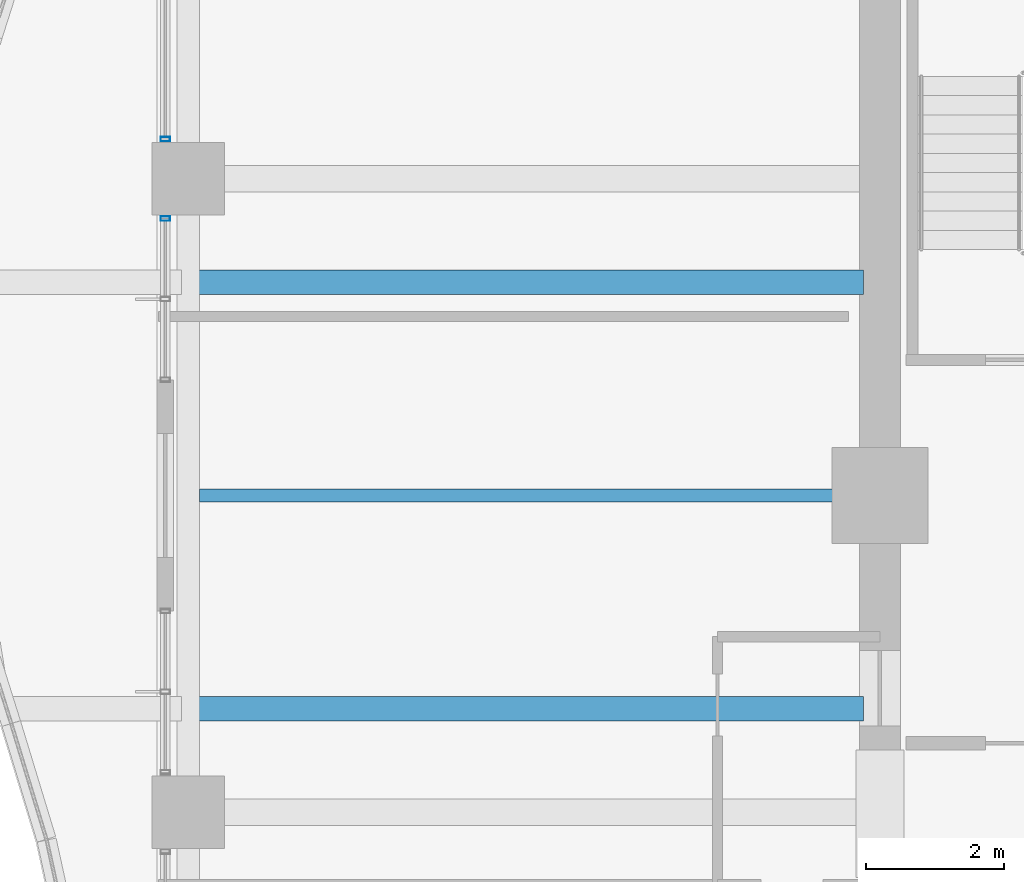
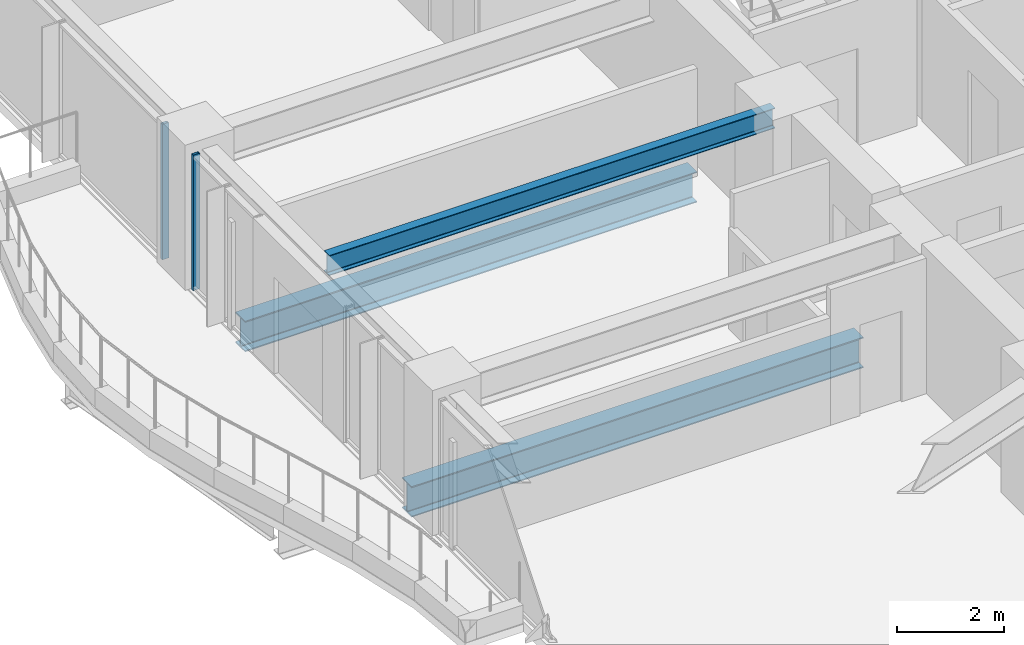
# One storey, part 9 of 36: 3 beams, 2 members, 2 elements without a shape of their own.
"""IFC4 building model written with IfcOpenShell, lengths in metres."""

from ifc_helpers import new_model, si_unit, direction, frame, origin, origin_2d, place, context, subcontext, project, spatial, hollow_rectangle, i_section, extrude, material, material_profile, profile_set, type_object, element, aggregate, save


model = new_model("IFC4")

# Units and contexts
model_context = context("Model", 3, precision=1e-05, world=origin(), true_north=direction((0.0, 1.0)))
body_context = subcontext(model_context, "Body", "Model", "MODEL_VIEW")
ifc_project = project(units=[si_unit("LENGTHUNIT", "METRE"), si_unit("AREAUNIT", "SQUARE_METRE"), si_unit("VOLUMEUNIT", "CUBIC_METRE"), si_unit("PLANEANGLEUNIT", "RADIAN"), si_unit("MASSUNIT", "GRAM", prefix="KILO")], contexts=[model_context])

# Site, building, storey
site_placement = place(None, origin())
site = spatial("IfcSite", under=ifc_project, at=site_placement, CompositionType="ELEMENT")
building_placement = place(site_placement, origin())
building = spatial("IfcBuilding", under=site, at=building_placement, Name="Kolvaren Belvedere", CompositionType="ELEMENT")
storey_placement = place(building_placement, frame((0.0, 0.0, 88.699951171875)))
storey = spatial("IfcBuildingStorey", under=building, at=storey_placement, Name="L25", CompositionType="ELEMENT", Elevation=88.699951171875)

# Beams
ifc_material_1 = material(Name="Structural steel ASTM A992 Grade 50", Category="steel")
ifc_material_profile_1 = material_profile(ifc_material_1, i_section(OverallWidth=0.35498046875, OverallDepth=0.696044921875, WebThickness=0.015380859375, FlangeThickness=0.02490234375, FilletRadius=0.02197265625, at=origin_2d()), Name="W27X146")
ifc_profile_set_1 = profile_set([ifc_material_profile_1], Name="Structural steel ASTM A992 Grade 50")
beam_type_1 = type_object("IfcBeamType", Name="BM-GIRD-W27X146", PredefinedType="BEAM", material=ifc_profile_set_1)
for number, where, z_axis, x_axis, name in (
    (1, (-10.139892578125, -3.10009765625, -0.56787109375), (-1.0, 0.0, 0.0), (0.0, -1.0, 0.0), "L25 Balcony Interior Back-Span Girder BAL-W-1"),
    (2, (-10.139892578125, 3.10009765625, -0.56787109375), (-1.0, 0.0, 0.0), (0.0, -1.0, 0.0), "L25 Balcony Interior Back-Span Girder BAL-W-2"),
):
    element("IfcBeam", number, at=place(storey_placement, frame(where, z_axis=z_axis, x_axis=x_axis)), inside=storey, type_object=beam_type_1, Name=name, PredefinedType="BEAM", context=body_context, shape_type="SweptSolid", body=[
        extrude(i_section(OverallWidth=0.35498046875, OverallDepth=0.696044921875, WebThickness=0.015380859375, FlangeThickness=0.02490234375, FilletRadius=0.02197265625, at=origin_2d()), origin(), (0.0, 0.0, 1.0), 9.715087890625),
    ])
ifc_material_2 = material(Name="Structural steel ASTM A992 Grade 50", Category="steel")
ifc_material_profile_2 = material_profile(ifc_material_2, i_section(OverallWidth=0.19091796875, OverallDepth=0.4599609375, WebThickness=0.010009765625, FlangeThickness=0.01611328125, FilletRadius=0.014892578125, at=origin_2d()), Name="W18X55")
ifc_profile_set_2 = profile_set([ifc_material_profile_2], Name="Structural steel ASTM A992 Grade 50")
beam_type_2 = type_object("IfcBeamType", Name="BM-JOIST-W18X55", PredefinedType="BEAM", material=ifc_profile_set_2)
beam_placement = place(storey_placement, frame((-10.199951171875, 0.0, 2.85009765625), z_axis=(-1.0, 0.0, 0.0), x_axis=(0.0, -1.0, 0.0)))
element("IfcBeam", 3, at=beam_placement, inside=storey, type_object=beam_type_2, Name="L25 West Centre Floor Beam", PredefinedType="BEAM", context=body_context, shape_type="SweptSolid", body=[
    extrude(i_section(OverallWidth=0.19091796875, OverallDepth=0.4599609375, WebThickness=0.010009765625, FlangeThickness=0.01611328125, FilletRadius=0.014892578125, at=origin_2d()), origin(), (0.0, 0.0, 1.0), 9.587646484375),
])

# Curtain wall, member
ifc_material_3 = material(Name="Anodised pale-metal aluminium AA 6063-T6", Category="aluminium")
curtain_wall_type = type_object("IfcCurtainWallType", Name="CW-Z2-MID", PredefinedType="NOTDEFINED", material=ifc_material_3)
curtain_wall_1_placement = place(storey_placement, origin())
curtain_wall_1 = element("IfcCurtainWall", 4, at=curtain_wall_1_placement, inside=storey, type_object=curtain_wall_type, Name="L25 Unitised Curtain Wall FCW-L25-W2-B1", PredefinedType="NOTDEFINED")
ifc_material_4 = material(Name="Anodised pale-metal aluminium AA 6063-T6", Category="aluminium")
ifc_material_profile_3 = material_profile(ifc_material_4, hollow_rectangle(XDim=0.06494140625, YDim=0.139892578125, WallThickness=0.00390625, at=origin_2d()), Name="ALU-MUL-140X65")
ifc_profile_set_3 = profile_set([ifc_material_profile_3], Name="Anodised pale-metal aluminium AA 6063-T6")
member_type = type_object("IfcMemberType", Name="CW-MUL-140", PredefinedType="MULLION", material=ifc_profile_set_3)
member_1_placement = place(storey_placement, frame((-20.280029296875, 4.0224609375, 0.0), z_axis=(0.0, 0.0, 1.0), x_axis=(0.0, 1.0, 0.0)))
member_1 = element("IfcMember", 5, at=member_1_placement, type_object=member_type, Name="FCW-L25-W2-B1 Unitised Mullion 3", PredefinedType="MULLION", context=body_context, shape_type="SweptSolid", body=[
    extrude(hollow_rectangle(XDim=0.06494140625, YDim=0.139892578125, WallThickness=0.00390625, at=origin_2d()), origin(), (0.0, 0.0, 1.0), 3.080078125),
])
aggregate(curtain_wall_1, [member_1])

curtain_wall_2_placement = place(storey_placement, origin())
curtain_wall_2 = element("IfcCurtainWall", 6, at=curtain_wall_2_placement, inside=storey, type_object=curtain_wall_type, Name="L25 Unitised Curtain Wall FCW-L25-W2-B2", PredefinedType="NOTDEFINED")
member_2_placement = place(storey_placement, frame((-20.280029296875, 5.177490234375, 0.0), z_axis=(0.0, 0.0, 1.0), x_axis=(0.0, 1.0, 0.0)))
member_2 = element("IfcMember", 7, at=member_2_placement, type_object=member_type, Name="FCW-L25-W2-B2 Unitised Mullion 1", PredefinedType="MULLION", context=body_context, shape_type="SweptSolid", body=[
    extrude(hollow_rectangle(XDim=0.06494140625, YDim=0.139892578125, WallThickness=0.00390625, at=origin_2d()), origin(), (0.0, 0.0, 1.0), 3.080078125),
])
aggregate(curtain_wall_2, [member_2])

save(model, "model.ifc")
